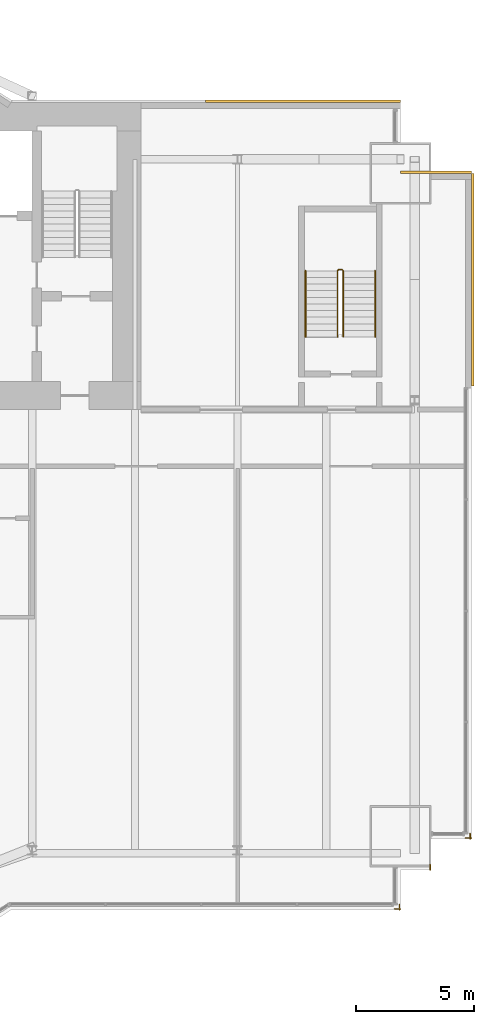
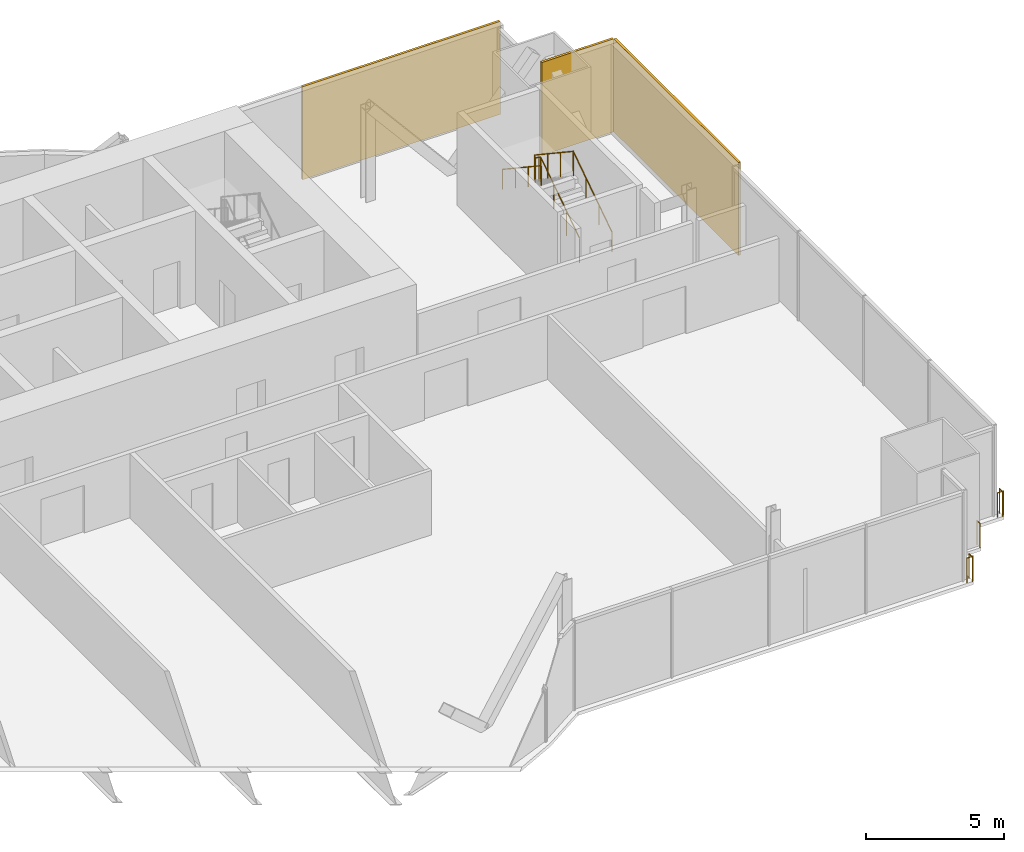
# One storey, part 21 of 21: 6 railings, 3 coverings.
"""IFC4 building model written with IfcOpenShell, lengths in metres."""

from ifc_helpers import new_model, si_unit, direction, frame, origin, origin_2d, place, context, subcontext, project, spatial, rectangle, circle, extrude, material, layer, layer_set, type_object, element, save


model = new_model("IFC4")

# Units and contexts
model_context = context("Model", 3, precision=1e-05, world=origin(), true_north=direction((0.0, 1.0)))
body_context = subcontext(model_context, "Body", "Model", "MODEL_VIEW")
ifc_project = project(units=[si_unit("LENGTHUNIT", "METRE"), si_unit("AREAUNIT", "SQUARE_METRE"), si_unit("VOLUMEUNIT", "CUBIC_METRE"), si_unit("PLANEANGLEUNIT", "RADIAN"), si_unit("MASSUNIT", "GRAM", prefix="KILO")], contexts=[model_context])

# Site, building, storey
site_placement = place(None, origin())
site = spatial("IfcSite", under=ifc_project, at=site_placement, CompositionType="ELEMENT")
building_placement = place(site_placement, origin())
building = spatial("IfcBuilding", under=site, at=building_placement, Name="Bicima Exchange Tower", CompositionType="ELEMENT")
storey_placement = place(building_placement, frame((0.0, 0.0, 173.199951171875)))
storey = spatial("IfcBuildingStorey", under=building, at=storey_placement, Name="L38", CompositionType="ELEMENT", Elevation=173.199951171875)

# Coverings
ifc_material_1 = material(Name="Bronze metal cladding")
ifc_layer_1 = layer(ifc_material_1, 0.004)
ifc_material_2 = material(Name="Ventilated cavity")
ifc_layer_2 = layer(ifc_material_2, 0.06)
ifc_material_3 = material(Name="Galvanised steel rail and mineral wool", Category="steel")
ifc_layer_3 = layer(ifc_material_3, 0.036)
ifc_layer_set = layer_set([ifc_layer_1, ifc_layer_2, ifc_layer_3], Name="Ventilated cavity")
covering_type = type_object("IfcCoveringType", Name="Bronze metal cladding panel 100", PredefinedType="CLADDING", material=ifc_layer_set)
covering_1_placement = place(storey_placement, frame((28.875, 0.050048828125, -0.14990234375), z_axis=(0.0, 0.0, 1.0), x_axis=(-1.0, 0.0, 0.0)))
element("IfcCovering", 1, at=covering_1_placement, inside=storey, type_object=covering_type, Name="Bronze cladding L38 1.1", PredefinedType="CLADDING", context=body_context, shape_type="SweptSolid", body=[
    extrude(rectangle(XDim=8.25, YDim=0.10009765625, at=origin_2d()), origin(), (0.0, 0.0, 1.0), 4.10009765625),
])
covering_2_placement = place(storey_placement, frame((36.050048828125, -7.5, -0.14990234375), z_axis=(0.0, 0.0, 1.0), x_axis=(0.0, 1.0, 0.0)))
element("IfcCovering", 2, at=covering_2_placement, inside=storey, type_object=covering_type, Name="Bronze cladding L38 50.1", PredefinedType="CLADDING", context=body_context, shape_type="SweptSolid", body=[
    extrude(rectangle(XDim=9.0, YDim=0.10009765625, at=origin_2d()), origin(), (0.0, 0.0, 1.0), 4.10009765625),
])
covering_3_placement = place(storey_placement, frame((34.5, -2.949951171875, -0.14990234375), z_axis=(0.0, 0.0, 1.0), x_axis=(-1.0, 0.0, 0.0)))
element("IfcCovering", 3, at=covering_3_placement, inside=storey, type_object=covering_type, Name="Bronze cladding L38 51.1", PredefinedType="CLADDING", context=body_context, shape_type="SweptSolid", body=[
    extrude(rectangle(XDim=3.0, YDim=0.10009765625, at=origin_2d()), origin(), (0.0, 0.0, 1.0), 4.10009765625),
])

# Railings
ifc_material_4 = material(Name="Stainless steel and bonded safety glass", Category="steel")
railing_type_1 = type_object("IfcRailingType", Name="Edge guard 1100", PredefinedType="GUARDRAIL", material=ifc_material_4)
railing_1_placement = place(storey_placement, frame((35.949951171875, -30.943115234375, 0.0)))
element("IfcRailing", 4, at=railing_1_placement, inside=storey, type_object=railing_type_1, Name="Edge guard L38 192", PredefinedType="GUARDRAIL", context=body_context, shape_type="SweptSolid", body=[
    extrude(circle(Radius=0.02392578125, at=origin_2d()), frame((0.0, 0.0, 1.076171875), z_axis=(0.0, -1.0, 0.0), x_axis=(1.0, 0.0, 0.0)), (0.0, 0.0, 1.0), 0.248779296875),
    extrude(circle(Radius=0.02392578125, at=origin_2d()), frame((0.0, -0.248779296875, 1.076171875), z_axis=(0.708833529934, 0.705375805398, 0.0), x_axis=(-0.705375805398, 0.708833529934, 0.0)), (0.0, 0.0, 1.0), 0.070556640625),
    extrude(circle(Radius=0.02392578125, at=origin_2d()), frame((0.050048828125, -0.198974609375, 1.076171875), z_axis=(-1.0, 0.0, 0.0), x_axis=(0.0, -1.0, 0.0)), (0.0, 0.0, 1.0), 0.242919921875),
    extrude(circle(Radius=0.02099609375, at=origin_2d()), origin(), (0.0, 0.0, 1.0), 1.052001953125),
    extrude(circle(Radius=0.02099609375, at=origin_2d()), frame((0.0, -0.248779296875, 0.0)), (0.0, 0.0, 1.0), 1.052001953125),
    extrude(circle(Radius=0.02099609375, at=origin_2d()), frame((0.050048828125, -0.198974609375, 0.0)), (0.0, 0.0, 1.0), 1.052001953125),
    extrude(circle(Radius=0.02099609375, at=origin_2d()), frame((-0.19287109375, -0.198974609375, 0.0)), (0.0, 0.0, 1.0), 1.052001953125),
])
railing_2_placement = place(storey_placement, frame((34.25, -32.27490234375, 0.0)))
element("IfcRailing", 5, at=railing_2_placement, inside=storey, type_object=railing_type_1, Name="Edge guard L38 193", PredefinedType="GUARDRAIL", context=body_context, shape_type="SweptSolid", body=[
    extrude(circle(Radius=0.02392578125, at=origin_2d()), frame((0.0, 0.0, 1.076171875), z_axis=(0.0, -1.0, 0.0), x_axis=(1.0, 0.0, 0.0)), (0.0, 0.0, 1.0), 0.217041015625),
    extrude(circle(Radius=0.02099609375, at=origin_2d()), origin(), (0.0, 0.0, 1.0), 1.052001953125),
    extrude(circle(Radius=0.02099609375, at=origin_2d()), frame((0.0, -0.217041015625, 0.0)), (0.0, 0.0, 1.0), 1.052001953125),
])
railing_3_placement = place(storey_placement, frame((32.949951171875, -33.948974609375, 0.0)))
element("IfcRailing", 6, at=railing_3_placement, inside=storey, type_object=railing_type_1, Name="Edge guard L38 194", PredefinedType="GUARDRAIL", context=body_context, shape_type="SweptSolid", body=[
    extrude(circle(Radius=0.02392578125, at=origin_2d()), frame((0.0, 0.0, 1.076171875), z_axis=(0.0, -1.0, 0.0), x_axis=(1.0, 0.0, 0.0)), (0.0, 0.0, 1.0), 0.242919921875),
    extrude(circle(Radius=0.02392578125, at=origin_2d()), frame((0.0, -0.242919921875, 1.076171875), z_axis=(0.708833529934, 0.705375805398, 0.0), x_axis=(-0.705375805398, 0.708833529934, 0.0)), (0.0, 0.0, 1.0), 0.070556640625),
    extrude(circle(Radius=0.02392578125, at=origin_2d()), frame((0.050048828125, -0.193115234375, 1.076171875), z_axis=(-1.0, 0.0, 0.0), x_axis=(0.0, -1.0, 0.0)), (0.0, 0.0, 1.0), 0.25),
    extrude(circle(Radius=0.02099609375, at=origin_2d()), origin(), (0.0, 0.0, 1.0), 1.052001953125),
    extrude(circle(Radius=0.02099609375, at=origin_2d()), frame((0.0, -0.242919921875, 0.0)), (0.0, 0.0, 1.0), 1.052001953125),
    extrude(circle(Radius=0.02099609375, at=origin_2d()), frame((0.050048828125, -0.193115234375, 0.0)), (0.0, 0.0, 1.0), 1.052001953125),
    extrude(circle(Radius=0.02099609375, at=origin_2d()), frame((-0.199951171875, -0.193115234375, 0.0)), (0.0, 0.0, 1.0), 1.052001953125),
])
ifc_material_5 = material(Name="Stainless steel", Category="steel")
railing_type_2 = type_object("IfcRailingType", Name="Stair guard 1100", PredefinedType="GUARDRAIL", material=ifc_material_5)
railing_4_placement = place(storey_placement, frame((30.574951171875, -9.925048828125, 0.1865234375)))
element("IfcRailing", 7, at=railing_4_placement, inside=storey, type_object=railing_type_2, Name="L38 ST-EE stair guard 1", PredefinedType="GUARDRAIL", context=body_context, shape_type="SweptSolid", body=[
    extrude(circle(Radius=0.02392578125, at=origin_2d()), frame((0.0, 0.0, 1.076171875), z_axis=(0.0, 0.832485552168, 0.554046753832), x_axis=(-1.0, 0.0, 0.0)), (0.0, 0.0, 1.0), 3.363525390625),
    extrude(circle(Radius=0.02392578125, at=origin_2d()), frame((0.0, 2.800048828125, 2.939453125), z_axis=(-0.707106781187, 0.707106781187, 0.0), x_axis=(-0.707106781187, -0.707106781187, 0.0)), (0.0, 0.0, 1.0), 0.07080078125),
    extrude(circle(Radius=0.02392578125, at=origin_2d()), frame((-0.050048828125, 2.85009765625, 2.939453125), z_axis=(-1.0, 0.0, 0.0), x_axis=(0.0, -1.0, 0.0)), (0.0, 0.0, 1.0), 0.14990234375),
    extrude(circle(Radius=0.02392578125, at=origin_2d()), frame((-0.199951171875, 2.85009765625, 2.939453125), z_axis=(-0.251157038772, -0.251157038772, 0.934794246747), x_axis=(0.707106781187, -0.707106781187, 0.0)), (0.0, 0.0, 1.0), 0.19921875),
    extrude(circle(Radius=0.02392578125, at=origin_2d()), frame((-0.25, 2.800048828125, 3.1259765625), z_axis=(0.0, -0.832452072856, 0.554097055034), x_axis=(1.0, 0.0, 0.0)), (0.0, 0.0, 1.0), 3.363525390625),
    extrude(circle(Radius=0.02099609375, at=origin_2d()), origin(), (0.0, 0.0, 1.0), 1.052001953125),
    extrude(circle(Radius=0.02099609375, at=origin_2d()), frame((0.0, 0.933349609375, 0.62109375)), (0.0, 0.0, 1.0), 1.052001953125),
    extrude(circle(Radius=0.02099609375, at=origin_2d()), frame((0.0, 1.86669921875, 1.242431640625)), (0.0, 0.0, 1.0), 1.052001953125),
    extrude(circle(Radius=0.02099609375, at=origin_2d()), frame((0.0, 2.800048828125, 1.863525390625)), (0.0, 0.0, 1.0), 1.052001953125),
    extrude(circle(Radius=0.02099609375, at=origin_2d()), frame((-0.050048828125, 2.85009765625, 1.863525390625)), (0.0, 0.0, 1.0), 1.052001953125),
    extrude(circle(Radius=0.02099609375, at=origin_2d()), frame((-0.199951171875, 2.85009765625, 1.863525390625)), (0.0, 0.0, 1.0), 1.052001953125),
    extrude(circle(Radius=0.02099609375, at=origin_2d()), frame((-0.25, 2.800048828125, 2.0498046875)), (0.0, 0.0, 1.0), 1.052001953125),
    extrude(circle(Radius=0.02099609375, at=origin_2d()), frame((-0.25, 1.86669921875, 2.671142578125)), (0.0, 0.0, 1.0), 1.052001953125),
    extrude(circle(Radius=0.02099609375, at=origin_2d()), frame((-0.25, 0.933349609375, 3.292236328125)), (0.0, 0.0, 1.0), 1.052001953125),
    extrude(circle(Radius=0.02099609375, at=origin_2d()), frame((-0.25, 0.0, 3.91357421875)), (0.0, 0.0, 1.0), 1.052001953125),
])
railing_type_3 = type_object("IfcRailingType", Name="Stair handrail 900", PredefinedType="HANDRAIL", material=ifc_material_5)
railing_5_placement = place(storey_placement, frame((31.925048828125, -9.925048828125, 0.1865234375)))
element("IfcRailing", 8, at=railing_5_placement, inside=storey, type_object=railing_type_3, Name="L38 ST-EE stair handrail 1", PredefinedType="HANDRAIL", context=body_context, shape_type="SweptSolid", body=[
    extrude(circle(Radius=0.02392578125, at=origin_2d()), frame((0.0, 0.0, 0.8759765625), z_axis=(0.0, 0.832485552168, 0.554046753832), x_axis=(-1.0, 0.0, 0.0)), (0.0, 0.0, 1.0), 3.363525390625),
    extrude(circle(Radius=0.02099609375, at=origin_2d()), origin(), (0.0, 0.0, 1.0), 0.851806640625),
    extrude(circle(Radius=0.02099609375, at=origin_2d()), frame((0.0, 0.933349609375, 0.62109375)), (0.0, 0.0, 1.0), 0.851806640625),
    extrude(circle(Radius=0.02099609375, at=origin_2d()), frame((0.0, 1.86669921875, 1.242431640625)), (0.0, 0.0, 1.0), 0.851806640625),
    extrude(circle(Radius=0.02099609375, at=origin_2d()), frame((0.0, 2.800048828125, 1.863525390625)), (0.0, 0.0, 1.0), 0.851806640625),
])
railing_6_placement = place(storey_placement, frame((28.97509765625, -7.125, 2.27685546875)))
element("IfcRailing", 9, at=railing_6_placement, inside=storey, type_object=railing_type_3, Name="L38 ST-EE stair handrail 2", PredefinedType="HANDRAIL", context=body_context, shape_type="SweptSolid", body=[
    extrude(circle(Radius=0.02392578125, at=origin_2d()), frame((0.0, 0.0, 0.8759765625), z_axis=(0.0, -0.832485552168, 0.554046753832), x_axis=(1.0, 0.0, 0.0)), (0.0, 0.0, 1.0), 3.363525390625),
    extrude(circle(Radius=0.02099609375, at=origin_2d()), origin(), (0.0, 0.0, 1.0), 0.851806640625),
    extrude(circle(Radius=0.02099609375, at=origin_2d()), frame((0.0, -0.933349609375, 0.62109375)), (0.0, 0.0, 1.0), 0.851806640625),
    extrude(circle(Radius=0.02099609375, at=origin_2d()), frame((0.0, -1.86669921875, 1.242431640625)), (0.0, 0.0, 1.0), 0.851806640625),
    extrude(circle(Radius=0.02099609375, at=origin_2d()), frame((0.0, -2.800048828125, 1.863525390625)), (0.0, 0.0, 1.0), 0.851806640625),
])

save(model, "model.ifc")
